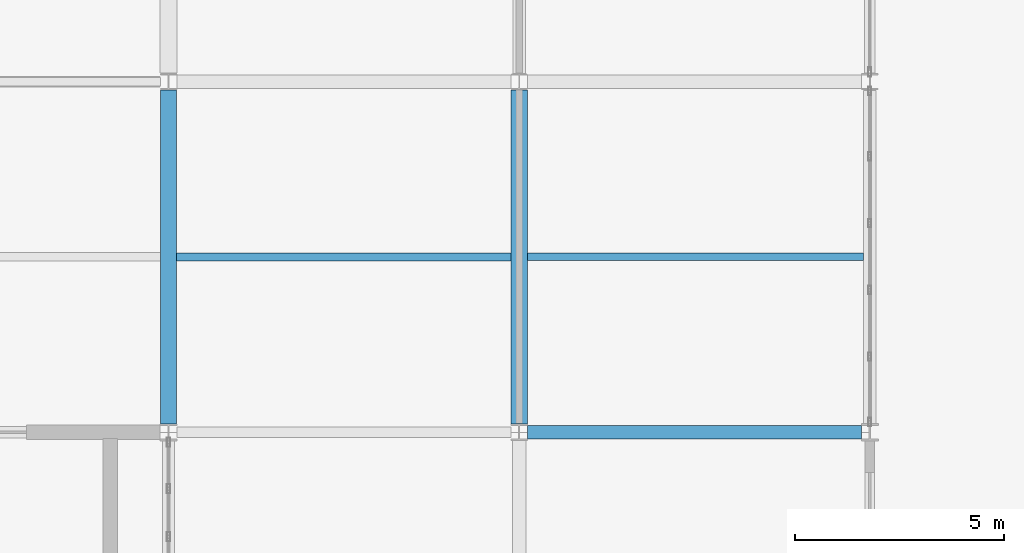
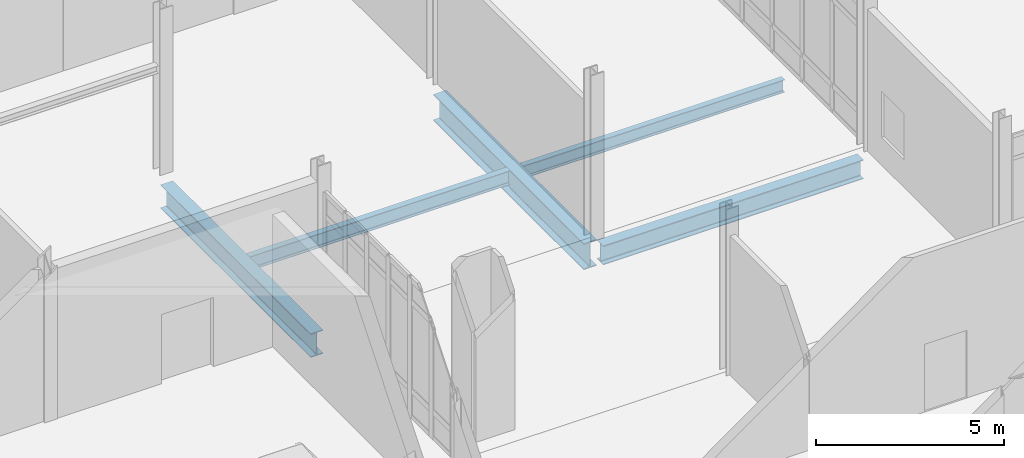
# One storey, part 42 of 229: 5 beams.
"""IFC4 building model written with IfcOpenShell, lengths in metres."""

from ifc_helpers import new_model, si_unit, direction, frame, origin, origin_2d, place, context, subcontext, project, spatial, i_section, extrude, material, material_profile, profile_set, type_object, element, save


model = new_model("IFC4")

# Units and contexts
model_context = context("Model", 3, precision=1e-05, world=origin(), true_north=direction((0.0, 1.0)))
body_context = subcontext(model_context, "Body", "Model", "MODEL_VIEW")
ifc_project = project(units=[si_unit("LENGTHUNIT", "METRE"), si_unit("AREAUNIT", "SQUARE_METRE"), si_unit("VOLUMEUNIT", "CUBIC_METRE"), si_unit("PLANEANGLEUNIT", "RADIAN"), si_unit("MASSUNIT", "GRAM", prefix="KILO")], contexts=[model_context])

# Site, building, storey
site_placement = place(None, origin())
site = spatial("IfcSite", under=ifc_project, at=site_placement, CompositionType="ELEMENT")
building_placement = place(site_placement, origin())
building = spatial("IfcBuilding", under=site, at=building_placement, Name="Calvrana Isthmian Art Gallery", CompositionType="ELEMENT")
storey_placement = place(building_placement, origin())
storey = spatial("IfcBuildingStorey", under=building, at=storey_placement, Name="L00", CompositionType="ELEMENT", Elevation=0.0)

# Beams
ifc_material = material(Name="Steel ASTM A992 Gr 50", Category="steel")
ifc_material_profile_1 = material_profile(ifc_material, i_section(OverallWidth=0.327880859375, OverallDepth=0.6220703125, WebThickness=0.015380859375, FlangeThickness=0.0244140625, FilletRadius=0.02197265625, at=origin_2d()), Name="W24X131")
ifc_profile_set_1 = profile_set([ifc_material_profile_1], Name="Steel ASTM A992 Gr 50")
beam_type_1 = type_object("IfcBeamType", Name="BM-G-W24X131", PredefinedType="BEAM", material=ifc_profile_set_1)
beam_1_placement = place(storey_placement, frame((72.199462890625, 21.60009765625, -0.595947265625), z_axis=(1.0, 0.0, 0.0), x_axis=(0.0, 1.0, 0.0)))
element("IfcBeam", 1, at=beam_1_placement, inside=storey, type_object=beam_type_1, Name="Girder X L00 10-11/D", PredefinedType="BEAM", context=body_context, shape_type="SweptSolid", body=[
    extrude(i_section(OverallWidth=0.327880859375, OverallDepth=0.6220703125, WebThickness=0.015380859375, FlangeThickness=0.0244140625, FilletRadius=0.02197265625, at=origin_2d()), origin(), (0.0, 0.0, 1.0), 7.99853515625),
])
ifc_material_profile_2 = material_profile(ifc_material, i_section(OverallWidth=0.381103515625, OverallDepth=0.77197265625, WebThickness=0.0166015625, FlangeThickness=0.027099609375, FilletRadius=0.02490234375, at=origin_2d()), Name="W30X173")
ifc_profile_set_2 = profile_set([ifc_material_profile_2], Name="Steel ASTM A992 Gr 50")
beam_type_2 = type_object("IfcBeamType", Name="BM-G-W30X173", PredefinedType="BEAM", material=ifc_profile_set_2)
beam_2_placement = place(storey_placement, frame((63.60009765625, 21.799560546875, -0.6708984375), z_axis=(0.0, 1.0, 0.0), x_axis=(-1.0, 0.0, 0.0)))
element("IfcBeam", 2, at=beam_2_placement, inside=storey, type_object=beam_type_2, Name="Girder Y L00 09/D-E", PredefinedType="BEAM", context=body_context, shape_type="SweptSolid", body=[
    extrude(i_section(OverallWidth=0.381103515625, OverallDepth=0.77197265625, WebThickness=0.0166015625, FlangeThickness=0.027099609375, FilletRadius=0.02490234375, at=origin_2d()), origin(), (0.0, 0.0, 1.0), 7.99755859375),
])
ifc_material_profile_3 = material_profile(ifc_material, i_section(OverallWidth=0.40087890625, OverallDepth=0.85595703125, WebThickness=0.018310546875, FlangeThickness=0.029296875, FilletRadius=0.02587890625, at=origin_2d()), Name="W33X201")
ifc_profile_set_3 = profile_set([ifc_material_profile_3], Name="Steel ASTM A992 Gr 50")
beam_type_3 = type_object("IfcBeamType", Name="BM-G-W33X201", PredefinedType="BEAM", material=ifc_profile_set_3)
beam_3_placement = place(storey_placement, frame((72.0, 21.79296875, -0.712890625), z_axis=(0.0, 1.0, 0.0), x_axis=(-1.0, 0.0, 0.0)))
element("IfcBeam", 3, at=beam_3_placement, inside=storey, type_object=beam_type_3, Name="Girder Y L00 10/D-E", PredefinedType="BEAM", context=body_context, shape_type="SweptSolid", body=[
    extrude(i_section(OverallWidth=0.40087890625, OverallDepth=0.85595703125, WebThickness=0.018310546875, FlangeThickness=0.029296875, FilletRadius=0.02587890625, at=origin_2d()), origin(), (0.0, 0.0, 1.0), 8.010009765625),
])
ifc_material_profile_4 = material_profile(ifc_material, i_section(OverallWidth=0.179931640625, OverallDepth=0.4140625, WebThickness=0.009765625, FlangeThickness=0.01611328125, FilletRadius=0.01806640625, at=origin_2d()), Name="W16X50")
ifc_profile_set_4 = profile_set([ifc_material_profile_4], Name="Steel ASTM A992 Gr 50")
beam_type_4 = type_object("IfcBeamType", Name="BM-J-W16X50", PredefinedType="JOIST", material=ifc_profile_set_4)
beam_4_placement = place(storey_placement, frame((72.200439453125, 25.800048828125, -0.491943359375), z_axis=(1.0, 0.0, 0.0), x_axis=(0.0, 1.0, 0.0)))
element("IfcBeam", 4, at=beam_4_placement, inside=storey, type_object=beam_type_4, Name="Composite joist L00 bay 09-03", PredefinedType="JOIST", context=body_context, shape_type="SweptSolid", body=[
    extrude(i_section(OverallWidth=0.179931640625, OverallDepth=0.4140625, WebThickness=0.009765625, FlangeThickness=0.01611328125, FilletRadius=0.01806640625, at=origin_2d()), origin(), (0.0, 0.0, 1.0), 8.046142578125),
])
ifc_material_profile_5 = material_profile(ifc_material, i_section(OverallWidth=0.19091796875, OverallDepth=0.45703125, WebThickness=0.009033203125, FlangeThickness=0.014404296875, FilletRadius=0.02001953125, at=origin_2d()), Name="W18X50")
ifc_profile_set_5 = profile_set([ifc_material_profile_5], Name="Steel ASTM A992 Gr 50")
beam_type_5 = type_object("IfcBeamType", Name="BM-J-W18X50", PredefinedType="JOIST", material=ifc_profile_set_5)
beam_5_placement = place(storey_placement, frame((63.79052734375, 25.800048828125, -0.513427734375), z_axis=(1.0, 0.0, 0.0), x_axis=(0.0, 1.0, 0.0)))
element("IfcBeam", 5, at=beam_5_placement, inside=storey, type_object=beam_type_5, Name="Composite joist L00 bay 08-03", PredefinedType="JOIST", context=body_context, shape_type="SweptSolid", body=[
    extrude(i_section(OverallWidth=0.19091796875, OverallDepth=0.45703125, WebThickness=0.009033203125, FlangeThickness=0.014404296875, FilletRadius=0.02001953125, at=origin_2d()), origin(), (0.0, 0.0, 1.0), 8.009033203125),
])

save(model, "model.ifc")
